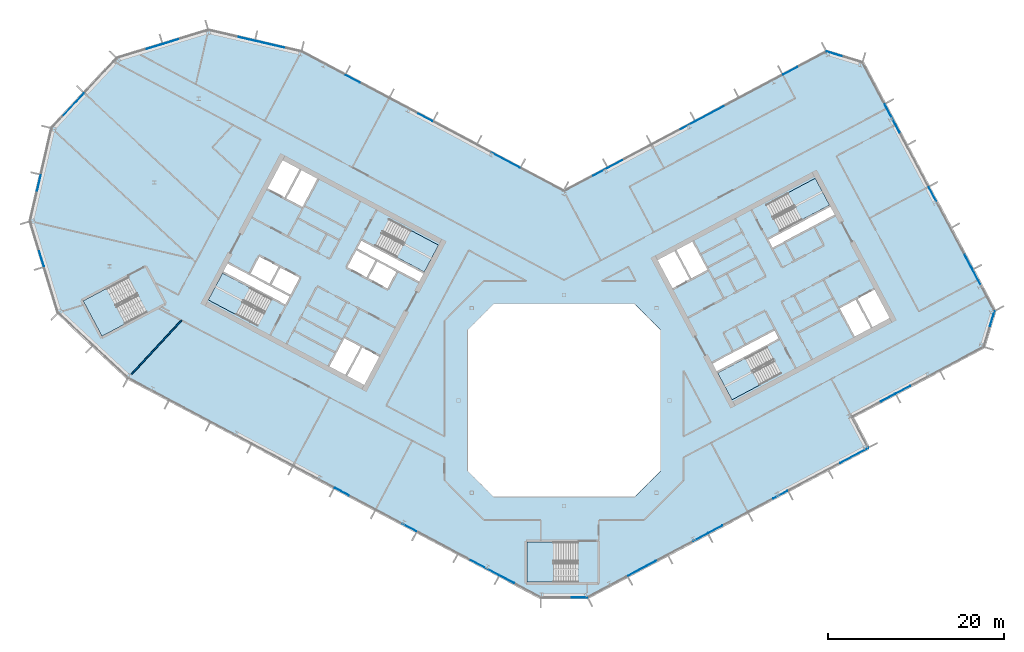
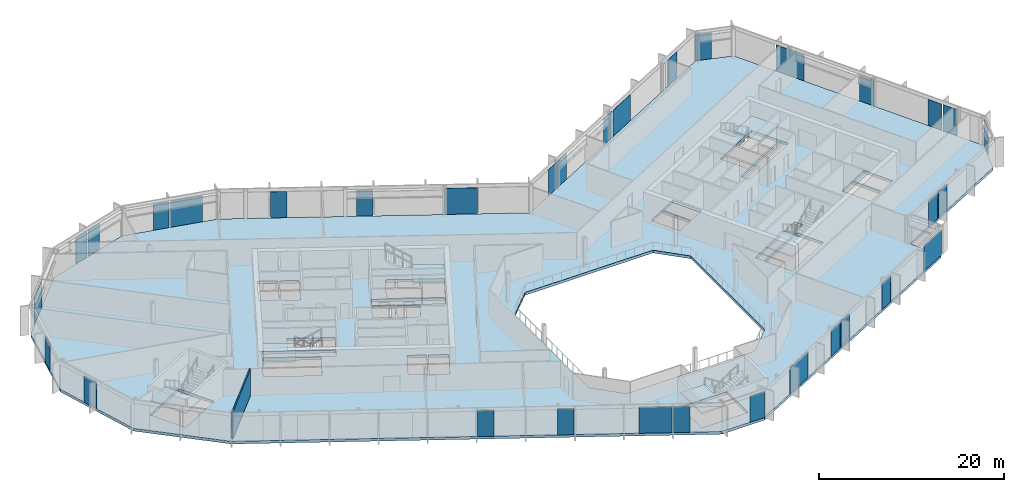
# One storey, part 11 of 26: 33 plates, 7 slabs, 1 wall, 20 elements without a shape of their own.
"""IFC4 building model written with IfcOpenShell, lengths in metres."""

from ifc_helpers import new_model, si_unit, direction, frame, frame_2d, origin, origin_2d, place, context, subcontext, project, spatial, polyline, rectangle, outline, extrude, material, layer, layer_set, type_object, element, aggregate, save


model = new_model("IFC4")

# Units and contexts
model_context = context("Model", 3, precision=1e-05, world=origin(), true_north=direction((0.0, 1.0)))
body_context = subcontext(model_context, "Body", "Model", "MODEL_VIEW")
ifc_project = project(units=[si_unit("LENGTHUNIT", "METRE"), si_unit("AREAUNIT", "SQUARE_METRE"), si_unit("VOLUMEUNIT", "CUBIC_METRE"), si_unit("PLANEANGLEUNIT", "RADIAN"), si_unit("MASSUNIT", "GRAM", prefix="KILO")], contexts=[model_context])

# Site, building, storey
site_placement = place(None, origin())
site = spatial("IfcSite", under=ifc_project, at=site_placement, CompositionType="ELEMENT")
building_placement = place(site_placement, origin())
building = spatial("IfcBuilding", under=site, at=building_placement, Name="Cormorant Relay Tower", CompositionType="ELEMENT")
storey_placement = place(building_placement, frame((0.0, 0.0, 213.0)))
storey = spatial("IfcBuildingStorey", under=building, at=storey_placement, Name="L46", CompositionType="ELEMENT", Elevation=213.0)

# Curtain wall, plate
ifc_material_1 = material(Name="Aluminium 6063-T6 anodised bronze", Category="aluminium")
ifc_layer_1 = layer(ifc_material_1, 0.199951171875)
ifc_layer_set_1 = layer_set([ifc_layer_1], Name="CW1 unitised bronze curtain wall with vertical fins")
curtain_wall_type = type_object("IfcCurtainWallType", Name="CW1 unitised bronze curtain wall with vertical fins", PredefinedType="NOTDEFINED", material=ifc_layer_set_1)
curtain_wall_1_placement = place(storey_placement, origin())
curtain_wall_1 = element("IfcCurtainWall", 1, at=curtain_wall_1_placement, inside=storey, type_object=curtain_wall_type, Name="CW1 curtain wall 1", PredefinedType="NOTDEFINED")
ifc_material_2 = material(Name="Tinted laminated glass", Category="glass")
ifc_layer_2 = layer(ifc_material_2, 0.0400390625)
ifc_layer_set_2 = layer_set([ifc_layer_2], Name="CW1 tinted vision panel 1800 module")
plate_type_1 = type_object("IfcPlateType", Name="CW1 tinted vision panel 1800 module", PredefinedType="CURTAIN_PANEL", material=ifc_layer_set_2)
plate_1_placement = place(storey_placement, frame((1.748779296875, -22.3955078125, 0.0), z_axis=(0.0, 0.0, 1.0), x_axis=(1.0, 0.0, 0.0)))
plate_1 = element("IfcPlate", 2, at=plate_1_placement, type_object=plate_type_1, Name="CW1 panel V01", PredefinedType="CURTAIN_PANEL", context=body_context, shape_type="SweptSolid", body=[
    extrude(rectangle(XDim=1.800048828125, YDim=0.0400390625, at=origin_2d()), origin(), (0.0, 0.0, 1.0), 3.449951171875),
])
aggregate(curtain_wall_1, [plate_1])

# Curtain wall, plates
curtain_wall_2_placement = place(storey_placement, origin())
curtain_wall_2 = element("IfcCurtainWall", 3, at=curtain_wall_2_placement, inside=storey, type_object=curtain_wall_type, Name="CW1 curtain wall 2", PredefinedType="NOTDEFINED")
plate_2_placement = place(storey_placement, frame((15.48291015625, -15.57421875, 0.0), z_axis=(0.0, 0.0, 1.0), x_axis=(0.882947592859, 0.469471562786, 0.0)))
plate_2 = element("IfcPlate", 4, at=plate_2_placement, type_object=plate_type_1, Name="CW1 panel V03", PredefinedType="CURTAIN_PANEL", context=body_context, shape_type="SweptSolid", body=[
    extrude(rectangle(XDim=1.800048828125, YDim=0.0400390625, at=origin_2d()), origin(), (0.0, 0.0, 1.0), 3.449951171875),
])
plate_3_placement = place(storey_placement, frame((17.20458984375, -14.65869140625, 0.0), z_axis=(0.0, 0.0, 1.0), x_axis=(0.882947592859, 0.469471562786, 0.0)))
plate_3 = element("IfcPlate", 5, at=plate_3_placement, type_object=plate_type_1, Name="CW1 panel V04", PredefinedType="CURTAIN_PANEL", context=body_context, shape_type="SweptSolid", body=[
    extrude(rectangle(XDim=1.800048828125, YDim=0.0400390625, at=origin_2d()), origin(), (0.0, 0.0, 1.0), 3.449951171875),
])
plate_4_placement = place(storey_placement, frame((24.6064453125, -10.72314453125, 0.0), z_axis=(0.0, 0.0, 1.0), x_axis=(0.882947592859, 0.469471562786, 0.0)))
plate_4 = element("IfcPlate", 6, at=plate_4_placement, type_object=plate_type_1, Name="CW1 panel V06", PredefinedType="CURTAIN_PANEL", context=body_context, shape_type="SweptSolid", body=[
    extrude(rectangle(XDim=1.800048828125, YDim=0.0400390625, at=origin_2d()), origin(), (0.0, 0.0, 1.0), 3.449951171875),
])

curtain_wall_3_placement = place(storey_placement, origin())
curtain_wall_3 = element("IfcCurtainWall", 7, at=curtain_wall_3_placement, inside=storey, type_object=curtain_wall_type, Name="CW1 curtain wall 4", PredefinedType="NOTDEFINED")
plate_5_placement = place(storey_placement, frame((36.85546875, 0.320068359375, 0.0), z_axis=(0.0, 0.0, 1.0), x_axis=(0.882947592859, 0.469471562786, 0.0)))
plate_5 = element("IfcPlate", 8, at=plate_5_placement, type_object=plate_type_1, Name="CW1 panel V01", PredefinedType="CURTAIN_PANEL", context=body_context, shape_type="SweptSolid", body=[
    extrude(rectangle(XDim=1.800048828125, YDim=0.0400390625, at=origin_2d()), origin(), (0.0, 0.0, 1.0), 3.449951171875),
])
plate_6_placement = place(storey_placement, frame((38.5771484375, 1.235595703125, 0.0), z_axis=(0.0, 0.0, 1.0), x_axis=(0.882947592859, 0.469471562786, 0.0)))
plate_6 = element("IfcPlate", 9, at=plate_6_placement, type_object=plate_type_1, Name="CW1 panel V02", PredefinedType="CURTAIN_PANEL", context=body_context, shape_type="SweptSolid", body=[
    extrude(rectangle(XDim=1.800048828125, YDim=0.0400390625, at=origin_2d()), origin(), (0.0, 0.0, 1.0), 3.449951171875),
])
aggregate(curtain_wall_3, [plate_5, plate_6])

# Curtain wall, plate
curtain_wall_4_placement = place(storey_placement, origin())
curtain_wall_4 = element("IfcCurtainWall", 10, at=curtain_wall_4_placement, inside=storey, type_object=curtain_wall_type, Name="CW1 curtain wall 5", PredefinedType="NOTDEFINED")
plate_7_placement = place(storey_placement, frame((48.710205078125, 9.306884765625, 0.0), z_axis=(0.0, 0.0, 1.0), x_axis=(0.292371704723, 0.956304755963, 0.0)))
plate_7 = element("IfcPlate", 11, at=plate_7_placement, type_object=plate_type_1, Name="CW1 panel V01", PredefinedType="CURTAIN_PANEL", context=body_context, shape_type="SweptSolid", body=[
    extrude(rectangle(XDim=1.800048828125, YDim=0.0400390625, at=origin_2d()), origin(), (0.0, 0.0, 1.0), 3.449951171875),
])
aggregate(curtain_wall_4, [plate_7])

# Curtain wall, plates
curtain_wall_5_placement = place(storey_placement, origin())
curtain_wall_5 = element("IfcCurtainWall", 12, at=curtain_wall_5_placement, inside=storey, type_object=curtain_wall_type, Name="CW1 curtain wall 6", PredefinedType="NOTDEFINED")
plate_8_placement = place(storey_placement, frame((46.925537109375, 14.031005859375, 0.0), z_axis=(0.0, 0.0, 1.0), x_axis=(-0.469471562786, 0.882947592859, 0.0)))
plate_8 = element("IfcPlate", 13, at=plate_8_placement, type_object=plate_type_1, Name="CW1 panel V01", PredefinedType="CURTAIN_PANEL", context=body_context, shape_type="SweptSolid", body=[
    extrude(rectangle(XDim=1.800048828125, YDim=0.0400390625, at=origin_2d()), origin(), (0.0, 0.0, 1.0), 3.449951171875),
])
plate_9_placement = place(storey_placement, frame((46.01025390625, 15.752685546875, 0.0), z_axis=(0.0, 0.0, 1.0), x_axis=(-0.469471562786, 0.882947592859, 0.0)))
plate_9 = element("IfcPlate", 14, at=plate_9_placement, type_object=plate_type_1, Name="CW1 panel V02", PredefinedType="CURTAIN_PANEL", context=body_context, shape_type="SweptSolid", body=[
    extrude(rectangle(XDim=1.800048828125, YDim=0.0400390625, at=origin_2d()), origin(), (0.0, 0.0, 1.0), 3.449951171875),
])
plate_10_placement = place(storey_placement, frame((41.91796875, 23.448974609375, 0.0), z_axis=(0.0, 0.0, 1.0), x_axis=(-0.469471562786, 0.882947592859, 0.0)))
plate_10 = element("IfcPlate", 15, at=plate_10_placement, type_object=plate_type_1, Name="CW1 panel V04", PredefinedType="CURTAIN_PANEL", context=body_context, shape_type="SweptSolid", body=[
    extrude(rectangle(XDim=1.800048828125, YDim=0.0400390625, at=origin_2d()), origin(), (0.0, 0.0, 1.0), 3.449951171875),
])

# Curtain wall, plate
curtain_wall_6_placement = place(storey_placement, origin())
curtain_wall_6 = element("IfcCurtainWall", 16, at=curtain_wall_6_placement, inside=storey, type_object=curtain_wall_type, Name="CW1 curtain wall 7", PredefinedType="NOTDEFINED")
plate_11_placement = place(storey_placement, frame((30.740234375, 39.424072265625, 0.0), z_axis=(0.0, 0.0, 1.0), x_axis=(-0.956304755963, 0.292371704723, 0.0)))
plate_11 = element("IfcPlate", 17, at=plate_11_placement, type_object=plate_type_1, Name="CW1 panel V01", PredefinedType="CURTAIN_PANEL", context=body_context, shape_type="SweptSolid", body=[
    extrude(rectangle(XDim=1.800048828125, YDim=0.0400390625, at=origin_2d()), origin(), (0.0, 0.0, 1.0), 3.449951171875),
])
aggregate(curtain_wall_6, [plate_11])

# Curtain wall, plates
curtain_wall_7_placement = place(storey_placement, origin())
curtain_wall_7 = element("IfcCurtainWall", 18, at=curtain_wall_7_placement, inside=storey, type_object=curtain_wall_type, Name="CW1 curtain wall 8", PredefinedType="NOTDEFINED")
plate_12_placement = place(storey_placement, frame((25.746337890625, 37.49609375, 0.0), z_axis=(0.0, 0.0, 1.0), x_axis=(-0.882947592859, -0.469471562786, 0.0)))
plate_12 = element("IfcPlate", 19, at=plate_12_placement, type_object=plate_type_1, Name="CW1 panel V01", PredefinedType="CURTAIN_PANEL", context=body_context, shape_type="SweptSolid", body=[
    extrude(rectangle(XDim=1.800048828125, YDim=0.0400390625, at=origin_2d()), origin(), (0.0, 0.0, 1.0), 3.449951171875),
])
plate_13_placement = place(storey_placement, frame((14.066650390625, 31.285888671875, 0.0), z_axis=(0.0, 0.0, 1.0), x_axis=(-0.882947592859, -0.469471562786, 0.0)))
plate_13 = element("IfcPlate", 20, at=plate_13_placement, type_object=plate_type_1, Name="CW1 panel V04", PredefinedType="CURTAIN_PANEL", context=body_context, shape_type="SweptSolid", body=[
    extrude(rectangle(XDim=1.800048828125, YDim=0.0400390625, at=origin_2d()), origin(), (0.0, 0.0, 1.0), 3.449951171875),
])
plate_14_placement = place(storey_placement, frame((5.830322265625, 26.90673828125, 0.0), z_axis=(0.0, 0.0, 1.0), x_axis=(-0.882947592859, -0.469471562786, 0.0)))
plate_14 = element("IfcPlate", 21, at=plate_14_placement, type_object=plate_type_1, Name="CW1 panel V06", PredefinedType="CURTAIN_PANEL", context=body_context, shape_type="SweptSolid", body=[
    extrude(rectangle(XDim=1.800048828125, YDim=0.0400390625, at=origin_2d()), origin(), (0.0, 0.0, 1.0), 3.449951171875),
])
plate_15_placement = place(storey_placement, frame((4.108642578125, 25.9912109375, 0.0), z_axis=(0.0, 0.0, 1.0), x_axis=(-0.882947592859, -0.469471562786, 0.0)))
plate_15 = element("IfcPlate", 22, at=plate_15_placement, type_object=plate_type_1, Name="CW1 panel V07", PredefinedType="CURTAIN_PANEL", context=body_context, shape_type="SweptSolid", body=[
    extrude(rectangle(XDim=1.800048828125, YDim=0.0400390625, at=origin_2d()), origin(), (0.0, 0.0, 1.0), 3.449951171875),
])

curtain_wall_8_placement = place(storey_placement, origin())
curtain_wall_8 = element("IfcCurtainWall", 23, at=curtain_wall_8_placement, inside=storey, type_object=curtain_wall_type, Name="CW1 curtain wall 9", PredefinedType="NOTDEFINED")
plate_16_placement = place(storey_placement, frame((-15.788330078125, 32.201416015625, 0.0), z_axis=(0.0, 0.0, 1.0), x_axis=(-0.882947592859, 0.469471562786, 0.0)))
plate_16 = element("IfcPlate", 24, at=plate_16_placement, type_object=plate_type_1, Name="CW1 panel V03", PredefinedType="CURTAIN_PANEL", context=body_context, shape_type="SweptSolid", body=[
    extrude(rectangle(XDim=1.800048828125, YDim=0.0400390625, at=origin_2d()), origin(), (0.0, 0.0, 1.0), 3.449951171875),
])
plate_17_placement = place(storey_placement, frame((-24.0244140625, 36.580810546875, 0.0), z_axis=(0.0, 0.0, 1.0), x_axis=(-0.882947592859, 0.469471562786, 0.0)))
plate_17 = element("IfcPlate", 25, at=plate_17_placement, type_object=plate_type_1, Name="CW1 panel V05", PredefinedType="CURTAIN_PANEL", context=body_context, shape_type="SweptSolid", body=[
    extrude(rectangle(XDim=1.800048828125, YDim=0.0400390625, at=origin_2d()), origin(), (0.0, 0.0, 1.0), 3.449951171875),
])

# Curtain wall, plate
curtain_wall_9_placement = place(storey_placement, origin())
curtain_wall_9 = element("IfcCurtainWall", 26, at=curtain_wall_9_placement, inside=storey, type_object=curtain_wall_type, Name="CW1 curtain wall 10", PredefinedType="NOTDEFINED")
plate_18_placement = place(storey_placement, frame((-36.114990234375, 41.129638671875, 0.0), z_axis=(0.0, 0.0, 1.0), x_axis=(-0.974370064785, 0.224951054344, 0.0)))
plate_18 = element("IfcPlate", 27, at=plate_18_placement, type_object=plate_type_1, Name="CW1 panel V02", PredefinedType="CURTAIN_PANEL", context=body_context, shape_type="SweptSolid", body=[
    extrude(rectangle(XDim=1.800048828125, YDim=0.0400390625, at=origin_2d()), origin(), (0.0, 0.0, 1.0), 3.449951171875),
])

# Curtain wall, plates
curtain_wall_10_placement = place(storey_placement, origin())
curtain_wall_10 = element("IfcCurtainWall", 28, at=curtain_wall_10_placement, inside=storey, type_object=curtain_wall_type, Name="CW1 curtain wall 11", PredefinedType="NOTDEFINED")
plate_19_placement = place(storey_placement, frame((-44.73681640625, 40.82861328125, 0.0), z_axis=(0.0, 0.0, 1.0), x_axis=(-0.956304755963, -0.292371704723, 0.0)))
plate_19 = element("IfcPlate", 29, at=plate_19_placement, type_object=plate_type_1, Name="CW1 panel V01", PredefinedType="CURTAIN_PANEL", context=body_context, shape_type="SweptSolid", body=[
    extrude(rectangle(XDim=1.800048828125, YDim=0.0400390625, at=origin_2d()), origin(), (0.0, 0.0, 1.0), 3.449951171875),
])
plate_20_placement = place(storey_placement, frame((-46.6015625, 40.25830078125, 0.0), z_axis=(0.0, 0.0, 1.0), x_axis=(-0.956304755963, -0.292371704723, 0.0)))
plate_20 = element("IfcPlate", 30, at=plate_20_placement, type_object=plate_type_1, Name="CW1 panel V02", PredefinedType="CURTAIN_PANEL", context=body_context, shape_type="SweptSolid", body=[
    extrude(rectangle(XDim=1.800048828125, YDim=0.0400390625, at=origin_2d()), origin(), (0.0, 0.0, 1.0), 3.449951171875),
])
aggregate(curtain_wall_10, [plate_19, plate_20])

# Curtain wall, plate
curtain_wall_11_placement = place(storey_placement, origin())
curtain_wall_11 = element("IfcCurtainWall", 31, at=curtain_wall_11_placement, inside=storey, type_object=curtain_wall_type, Name="CW1 curtain wall 13", PredefinedType="NOTDEFINED")
plate_21_placement = place(storey_placement, frame((-59.736083984375, 24.74365234375, 0.0), z_axis=(0.0, 0.0, 1.0), x_axis=(-0.224951054344, -0.974370064785, 0.0)))
plate_21 = element("IfcPlate", 32, at=plate_21_placement, type_object=plate_type_1, Name="CW1 panel V01", PredefinedType="CURTAIN_PANEL", context=body_context, shape_type="SweptSolid", body=[
    extrude(rectangle(XDim=1.800048828125, YDim=0.0400390625, at=origin_2d()), origin(), (0.0, 0.0, 1.0), 3.449951171875),
])
aggregate(curtain_wall_11, [plate_21])

curtain_wall_12_placement = place(storey_placement, origin())
curtain_wall_12 = element("IfcCurtainWall", 33, at=curtain_wall_12_placement, inside=storey, type_object=curtain_wall_type, Name="CW1 curtain wall 14", PredefinedType="NOTDEFINED")
plate_22_placement = place(storey_placement, frame((-59.434814453125, 16.122314453125, 0.0), z_axis=(0.0, 0.0, 1.0), x_axis=(0.292371704723, -0.956304755963, 0.0)))
plate_22 = element("IfcPlate", 34, at=plate_22_placement, type_object=plate_type_1, Name="CW1 panel V01", PredefinedType="CURTAIN_PANEL", context=body_context, shape_type="SweptSolid", body=[
    extrude(rectangle(XDim=1.800048828125, YDim=0.0400390625, at=origin_2d()), origin(), (0.0, 0.0, 1.0), 3.449951171875),
])
aggregate(curtain_wall_12, [plate_22])

# Curtain wall, plates
curtain_wall_13_placement = place(storey_placement, origin())
curtain_wall_13 = element("IfcCurtainWall", 35, at=curtain_wall_13_placement, inside=storey, type_object=curtain_wall_type, Name="CW1 curtain wall 16", PredefinedType="NOTDEFINED")
plate_23_placement = place(storey_placement, frame((-25.268798828125, -10.37109375, 0.0), z_axis=(0.0, 0.0, 1.0), x_axis=(0.882947592859, -0.469471562786, 0.0)))
plate_23 = element("IfcPlate", 36, at=plate_23_placement, type_object=plate_type_1, Name="CW1 panel V06", PredefinedType="CURTAIN_PANEL", context=body_context, shape_type="SweptSolid", body=[
    extrude(rectangle(XDim=1.800048828125, YDim=0.0400390625, at=origin_2d()), origin(), (0.0, 0.0, 1.0), 3.449951171875),
])
plate_24_placement = place(storey_placement, frame((-17.601806640625, -14.447509765625, 0.0), z_axis=(0.0, 0.0, 1.0), x_axis=(0.882947592859, -0.469471562786, 0.0)))
plate_24 = element("IfcPlate", 37, at=plate_24_placement, type_object=plate_type_1, Name="CW1 panel V08", PredefinedType="CURTAIN_PANEL", context=body_context, shape_type="SweptSolid", body=[
    extrude(rectangle(XDim=1.800048828125, YDim=0.0400390625, at=origin_2d()), origin(), (0.0, 0.0, 1.0), 3.449951171875),
])
plate_25_placement = place(storey_placement, frame((-6.49169921875, -20.35498046875, 0.0), z_axis=(0.0, 0.0, 1.0), x_axis=(0.882947592859, -0.469471562786, 0.0)))
plate_25 = element("IfcPlate", 38, at=plate_25_placement, type_object=plate_type_1, Name="CW1 panel V11", PredefinedType="CURTAIN_PANEL", context=body_context, shape_type="SweptSolid", body=[
    extrude(rectangle(XDim=1.800048828125, YDim=0.0400390625, at=origin_2d()), origin(), (0.0, 0.0, 1.0), 3.449951171875),
])

# Plate
ifc_material_3 = material(Name="Tinted laminated glass", Category="glass")
ifc_layer_3 = layer(ifc_material_3, 0.0400390625)
ifc_layer_set_3 = layer_set([ifc_layer_3], Name="CW1 tinted vision panel 3600 module")
plate_type_2 = type_object("IfcPlateType", Name="CW1 tinted vision panel 3600 module", PredefinedType="CURTAIN_PANEL", material=ifc_layer_set_3)
plate_26_placement = place(storey_placement, frame((8.87548828125, -19.08740234375, 0.0), z_axis=(0.0, 0.0, 1.0), x_axis=(0.882947592859, 0.469471562786, 0.0)))
plate_26 = element("IfcPlate", 39, at=plate_26_placement, type_object=plate_type_2, Name="CW1 panel V01", PredefinedType="CURTAIN_PANEL", context=body_context, shape_type="SweptSolid", body=[
    extrude(rectangle(XDim=3.60009765625, YDim=0.0400390625, at=origin_2d()), origin(), (0.0, 0.0, 1.0), 3.449951171875),
])

plate_27_placement = place(storey_placement, frame((33.00146484375, -6.259521484375, 0.0), z_axis=(0.0, 0.0, 1.0), x_axis=(0.882947592859, 0.469471562786, 0.0)))
plate_27 = element("IfcPlate", 40, at=plate_27_placement, type_object=plate_type_2, Name="CW1 panel V08", PredefinedType="CURTAIN_PANEL", context=body_context, shape_type="SweptSolid", body=[
    extrude(rectangle(XDim=3.60009765625, YDim=0.0400390625, at=origin_2d()), origin(), (0.0, 0.0, 1.0), 3.449951171875),
])

aggregate(curtain_wall_2, [plate_26, plate_2, plate_3, plate_4, plate_27])

plate_28_placement = place(storey_placement, frame((37.332763671875, 32.072509765625, 0.0), z_axis=(0.0, 0.0, 1.0), x_axis=(-0.469471562786, 0.882947592859, 0.0)))
plate_28 = element("IfcPlate", 41, at=plate_28_placement, type_object=plate_type_2, Name="CW1 panel V06", PredefinedType="CURTAIN_PANEL", context=body_context, shape_type="SweptSolid", body=[
    extrude(rectangle(XDim=3.60009765625, YDim=0.0400390625, at=origin_2d()), origin(), (0.0, 0.0, 1.0), 3.449951171875),
])

aggregate(curtain_wall_5, [plate_8, plate_9, plate_10, plate_28])

plate_29_placement = place(storey_placement, frame((16.5830078125, 32.6240234375, 0.0), z_axis=(0.0, 0.0, 1.0), x_axis=(-0.882947592859, -0.469471562786, 0.0)))
plate_29 = element("IfcPlate", 42, at=plate_29_placement, type_object=plate_type_2, Name="CW1 panel V03", PredefinedType="CURTAIN_PANEL", context=body_context, shape_type="SweptSolid", body=[
    extrude(rectangle(XDim=3.60009765625, YDim=0.0400390625, at=origin_2d()), origin(), (0.0, 0.0, 1.0), 3.449951171875),
])

aggregate(curtain_wall_7, [plate_12, plate_29, plate_13, plate_14, plate_15])

plate_30_placement = place(storey_placement, frame((-6.625, 27.3291015625, 0.0), z_axis=(0.0, 0.0, 1.0), x_axis=(-0.882947592859, 0.469471562786, 0.0)))
plate_30 = element("IfcPlate", 43, at=plate_30_placement, type_object=plate_type_2, Name="CW1 panel V01", PredefinedType="CURTAIN_PANEL", context=body_context, shape_type="SweptSolid", body=[
    extrude(rectangle(XDim=3.60009765625, YDim=0.0400390625, at=origin_2d()), origin(), (0.0, 0.0, 1.0), 3.449951171875),
])

aggregate(curtain_wall_8, [plate_30, plate_16, plate_17])

plate_31_placement = place(storey_placement, frame((-33.338134765625, 40.488525390625, 0.0), z_axis=(0.0, 0.0, 1.0), x_axis=(-0.974370064785, 0.224951054344, 0.0)))
plate_31 = element("IfcPlate", 44, at=plate_31_placement, type_object=plate_type_2, Name="CW1 panel V01", PredefinedType="CURTAIN_PANEL", context=body_context, shape_type="SweptSolid", body=[
    extrude(rectangle(XDim=3.60009765625, YDim=0.0400390625, at=origin_2d()), origin(), (0.0, 0.0, 1.0), 3.449951171875),
])

aggregate(curtain_wall_9, [plate_31, plate_18])

# Curtain wall, plate
curtain_wall_14_placement = place(storey_placement, origin())
curtain_wall_14 = element("IfcCurtainWall", 45, at=curtain_wall_14_placement, inside=storey, type_object=curtain_wall_type, Name="CW1 curtain wall 12", PredefinedType="NOTDEFINED")
plate_32_placement = place(storey_placement, frame((-55.861083984375, 33.6025390625, 0.0), z_axis=(0.0, 0.0, 1.0), x_axis=(-0.681998360062, -0.731353701619, 0.0)))
plate_32 = element("IfcPlate", 46, at=plate_32_placement, type_object=plate_type_2, Name="CW1 panel V01", PredefinedType="CURTAIN_PANEL", context=body_context, shape_type="SweptSolid", body=[
    extrude(rectangle(XDim=3.60009765625, YDim=0.0400390625, at=origin_2d()), origin(), (0.0, 0.0, 1.0), 3.449951171875),
])
aggregate(curtain_wall_14, [plate_32])

# Plate
plate_33_placement = place(storey_placement, frame((-9.008056640625, -19.01708984375, 0.0), z_axis=(0.0, 0.0, 1.0), x_axis=(0.882947592859, -0.469471562786, 0.0)))
plate_33 = element("IfcPlate", 47, at=plate_33_placement, type_object=plate_type_2, Name="CW1 panel V10", PredefinedType="CURTAIN_PANEL", context=body_context, shape_type="SweptSolid", body=[
    extrude(rectangle(XDim=3.60009765625, YDim=0.0400390625, at=origin_2d()), origin(), (0.0, 0.0, 1.0), 3.449951171875),
])

aggregate(curtain_wall_13, [plate_23, plate_24, plate_33, plate_25])

# Stair, slab
ifc_material_4 = material(Name="Concrete 40 MPa", Category="concrete")
stair_type_1 = type_object("IfcStairType", Name="Exit stair 1500", PredefinedType="HALF_TURN_STAIR", material=ifc_material_4)
stair_1_placement = place(storey_placement, origin())
stair_1 = element("IfcStair", 48, at=stair_1_placement, inside=storey, type_object=stair_type_1, Name="L46 Stair", PredefinedType="HALF_TURN_STAIR")
ifc_material_5 = material(Name="Concrete 40 MPa", Category="concrete")
ifc_layer_4 = layer(ifc_material_5, 0.199951171875)
ifc_layer_set_4 = layer_set([ifc_layer_4], Name="Exit stair landing 200")
slab_type_1 = type_object("IfcSlabType", Name="Exit stair landing 200", PredefinedType="LANDING", material=ifc_layer_set_4)
slab_1_placement = place(storey_placement, frame((0.0, 0.0, 1.75)))
slab_1 = element("IfcSlab", 49, at=slab_1_placement, type_object=slab_type_1, Name="A1 landing 1", PredefinedType="LANDING", context=body_context, shape_type="SweptSolid", body=[
    extrude(outline(polyline([(-19.029541015625, 16.29052734375), (-15.89501953125, 14.6240234375), (-14.275390625, 17.670166015625), (-17.40966796875, 19.3369140625), (-19.029541015625, 16.29052734375)])), origin(), (0.0, 0.0, 1.0), 0.199951171875),
])
aggregate(stair_1, [slab_1])

stair_2_placement = place(storey_placement, origin())
stair_2 = element("IfcStair", 50, at=stair_2_placement, inside=storey, type_object=stair_type_1, Name="L46 Stair", PredefinedType="HALF_TURN_STAIR")
slab_2_placement = place(storey_placement, frame((0.0, 0.0, 1.75)))
slab_2 = element("IfcSlab", 51, at=slab_2_placement, type_object=slab_type_1, Name="A2 landing 1", PredefinedType="LANDING", context=body_context, shape_type="SweptSolid", body=[
    extrude(outline(polyline([(-35.71337890625, 12.816650390625), (-38.84765625, 14.483154296875), (-40.467529296875, 11.43701171875), (-37.3330078125, 9.7705078125), (-35.71337890625, 12.816650390625)])), origin(), (0.0, 0.0, 1.0), 0.199951171875),
])
aggregate(stair_2, [slab_2])

stair_3_placement = place(storey_placement, origin())
stair_3 = element("IfcStair", 52, at=stair_3_placement, inside=storey, type_object=stair_type_1, Name="L46 Stair", PredefinedType="HALF_TURN_STAIR")
slab_3_placement = place(storey_placement, frame((0.0, 0.0, 1.75)))
slab_3 = element("IfcSlab", 53, at=slab_3_placement, type_object=slab_type_1, Name="B1 landing 1", PredefinedType="LANDING", context=body_context, shape_type="SweptSolid", body=[
    extrude(outline(polyline([(20.614990234375, 4.78857421875), (17.48046875, 3.1220703125), (19.10009765625, 0.075927734375), (22.234619140625, 1.742431640625), (20.614990234375, 4.78857421875)])), origin(), (0.0, 0.0, 1.0), 0.199951171875),
])
aggregate(stair_3, [slab_3])

stair_4_placement = place(storey_placement, origin())
stair_4 = element("IfcStair", 54, at=stair_4_placement, inside=storey, type_object=stair_type_1, Name="L46 Stair", PredefinedType="HALF_TURN_STAIR")
slab_4_placement = place(storey_placement, frame((0.0, 0.0, 1.75)))
slab_4 = element("IfcSlab", 55, at=slab_4_placement, type_object=slab_type_1, Name="B2 landing 1", PredefinedType="LANDING", context=body_context, shape_type="SweptSolid", body=[
    extrude(outline(polyline([(27.064208984375, 20.562744140625), (30.19873046875, 22.2294921875), (28.5791015625, 25.275634765625), (25.444580078125, 23.60888671875), (27.064208984375, 20.562744140625)])), origin(), (0.0, 0.0, 1.0), 0.199951171875),
])
aggregate(stair_4, [slab_4])

ifc_material_6 = material(Name="Concrete 40 MPa", Category="concrete")
stair_type_2 = type_object("IfcStairType", Name="Remote exit stair 2200", PredefinedType="HALF_TURN_STAIR", material=ifc_material_6)
stair_5_placement = place(storey_placement, origin())
stair_5 = element("IfcStair", 56, at=stair_5_placement, inside=storey, type_object=stair_type_2, Name="L46 Stair", PredefinedType="HALF_TURN_STAIR")
slab_5_placement = place(storey_placement, frame((0.0, 0.0, 1.75)))
slab_5 = element("IfcSlab", 57, at=slab_5_placement, type_object=slab_type_1, Name="RK1 landing 1", PredefinedType="LANDING", context=body_context, shape_type="SweptSolid", body=[
    extrude(outline(polyline([(-1.199951171875, -16.125), (-4.199951171875, -16.125), (-4.199951171875, -20.675048828125), (-1.199951171875, -20.675048828125), (-1.199951171875, -16.125)])), origin(), (0.0, 0.0, 1.0), 0.199951171875),
])
aggregate(stair_5, [slab_5])

stair_6_placement = place(storey_placement, origin())
stair_6 = element("IfcStair", 58, at=stair_6_placement, inside=storey, type_object=stair_type_2, Name="L46 Stair", PredefinedType="HALF_TURN_STAIR")
slab_6_placement = place(storey_placement, frame((0.0, 0.0, 1.75)))
slab_6 = element("IfcSlab", 59, at=slab_6_placement, type_object=slab_type_1, Name="RP1 landing 1", PredefinedType="LANDING", context=body_context, shape_type="SweptSolid", body=[
    extrude(outline(polyline([(-52.051025390625, 12.7392578125), (-54.699951171875, 11.330810546875), (-52.563720703125, 7.3134765625), (-49.914794921875, 8.721923828125), (-52.051025390625, 12.7392578125)])), origin(), (0.0, 0.0, 1.0), 0.199951171875),
])
aggregate(stair_6, [slab_6])

# Slab
ifc_material_7 = material(Name="Concrete 40 MPa", Category="concrete")
ifc_layer_5 = layer(ifc_material_7, 0.360107421875)
ifc_layer_set_5 = layer_set([ifc_layer_5], Name="Flat plate 360")
slab_type_2 = type_object("IfcSlabType", Name="Flat plate 360", PredefinedType="FLOOR", material=ifc_layer_set_5)
slab_7_placement = place(storey_placement, frame((0.0, 0.0, -0.360107421875)))
element("IfcSlab", 60, at=slab_7_placement, inside=storey, type_object=slab_type_2, Name="Floor slab L46", PredefinedType="FLOOR", context=body_context, shape_type="SweptSolid", body=[
    extrude(outline(polyline([(-60.7197265625, 20.393310546875), (-58.2744140625, 30.985107421875), (-50.86083984375, 38.935302734375), (-40.465576171875, 42.11328125), (-29.873779296875, 39.668212890625), (0.0, 23.783935546875), (29.873779296875, 39.668212890625), (33.930908203125, 38.427734375), (48.9541015625, 10.17333984375), (47.713623046875, 6.1162109375), (32.70361328125, -1.864990234375), (34.581298828125, -5.396728515625), (2.648681640625, -22.37548828125), (-2.648681640625, -22.37548828125), (-49.591552734375, 2.584228515625), (-57.541748046875, 9.997802734375), (-60.7197265625, 20.393310546875)]), holes=[polyline([(11.0, -8.0), (11.0, 8.0), (8.0, 11.0), (-8.0, 11.0), (-11.0, 8.0), (-11.0, -8.0), (-8.0, -11.0), (8.0, -11.0), (11.0, -8.0)]), polyline([(-22.95458984375, 6.03271484375), (-24.668212890625, 2.81005859375), (-22.725830078125, 1.777099609375), (-21.01220703125, 5.0), (-23.04296875, 6.07958984375), (-22.95458984375, 6.03271484375)]), polyline([(-24.985595703125, 7.112548828125), (-26.69921875, 3.889892578125), (-24.844970703125, 2.90380859375), (-23.13134765625, 6.126708984375), (-23.04296875, 6.07958984375), (-24.985595703125, 7.112548828125)]), polyline([(-54.69970703125, 11.330810546875), (-52.563720703125, 7.3134765625), (-47.442626953125, 10.036376953125), (-49.57861328125, 14.0537109375), (-54.69970703125, 11.330810546875)]), polyline([(-33.240966796875, 11.502197265625), (-38.847900390625, 14.483154296875), (-40.46728515625, 11.43701171875), (-34.860595703125, 8.455810546875), (-33.240966796875, 11.502197265625)]), polyline([(-38.260986328125, 15.5869140625), (-38.75390625, 14.659912109375), (-31.690185546875, 10.904052734375), (-31.197265625, 11.8310546875), (-38.260986328125, 15.5869140625)]), polyline([(-31.103515625, 12.0078125), (-30.070556640625, 13.9501953125), (-32.278076171875, 15.123779296875), (-33.310791015625, 13.181396484375), (-31.103515625, 12.0078125)]), polyline([(-22.2880859375, 13.889404296875), (-20.080810546875, 12.7158203125), (-19.048095703125, 14.658203125), (-21.25537109375, 15.831787109375), (-22.2880859375, 13.889404296875)]), polyline([(-34.661865234375, 16.3916015625), (-35.69482421875, 14.448974609375), (-33.4873046875, 13.275390625), (-32.45458984375, 15.2177734375), (-34.661865234375, 16.3916015625)]), polyline([(-22.46484375, 13.9833984375), (-21.431884765625, 15.92578125), (-23.639404296875, 17.099609375), (-24.672119140625, 15.156982421875), (-22.46484375, 13.9833984375)]), polyline([(-31.611572265625, 22.980712890625), (-29.75732421875, 21.99462890625), (-28.043701171875, 25.217529296875), (-29.89794921875, 26.203369140625), (-31.611572265625, 22.980712890625)]), polyline([(-32.01708984375, 27.330078125), (-33.73046875, 24.107421875), (-31.7880859375, 23.074462890625), (-30.074462890625, 26.29736328125), (-32.01708984375, 27.330078125)]), polyline([(-4.199951171875, -16.125), (-4.199951171875, -20.675048828125), (1.60009765625, -20.675048828125), (1.60009765625, -16.125), (-4.199951171875, -16.125)]), polyline([(17.48046875, 3.1220703125), (19.10009765625, 0.07568359375), (24.706787109375, 3.056884765625), (23.087158203125, 6.10302734375), (17.48046875, 3.1220703125)]), polyline([(17.386474609375, 3.298583984375), (24.4501953125, 7.054443359375), (23.957275390625, 7.9814453125), (16.8935546875, 4.2255859375), (17.386474609375, 3.298583984375)]), polyline([(33.197021484375, 11.478515625), (31.3427734375, 10.49267578125), (33.056396484375, 7.27001953125), (34.910400390625, 8.255859375), (33.197021484375, 11.478515625)]), polyline([(33.37353515625, 11.572509765625), (35.087158203125, 8.349609375), (37.029541015625, 9.382568359375), (35.31591796875, 12.605224609375), (33.37353515625, 11.572509765625)]), polyline([(14.3056640625, 13.779052734375), (12.592041015625, 17.001708984375), (10.649658203125, 15.968994140625), (12.36328125, 12.74609375), (14.39404296875, 13.825927734375), (14.3056640625, 13.779052734375)]), polyline([(16.33642578125, 14.85888671875), (14.622802734375, 18.08154296875), (12.768798828125, 17.095703125), (14.482421875, 13.872802734375), (14.39404296875, 13.825927734375), (16.33642578125, 14.85888671875)]), polyline([(-16.481689453125, 13.520263671875), (-15.989013671875, 14.447509765625), (-23.052490234375, 18.203125), (-23.54541015625, 17.276123046875), (-16.481689453125, 13.520263671875)]), polyline([(-15.89501953125, 14.6240234375), (-14.275390625, 17.670166015625), (-19.882080078125, 20.6513671875), (-21.501708984375, 17.605224609375), (-15.89501953125, 14.6240234375)]), polyline([(30.78564453125, 21.125732421875), (30.29248046875, 22.052978515625), (23.22900390625, 18.297119140625), (23.721923828125, 17.3701171875), (30.78564453125, 21.125732421875)]), polyline([(24.592041015625, 19.248291015625), (30.19873046875, 22.2294921875), (28.5791015625, 25.275634765625), (22.972412109375, 22.29443359375), (24.592041015625, 19.248291015625)])]), origin(), (0.0, 0.0, 1.0), 0.360107421875),
])

# Wall
ifc_material_8 = material(Name="Gypsum board partition")
ifc_layer_6 = layer(ifc_material_8, 0.14990234375)
ifc_layer_set_6 = layer_set([ifc_layer_6], Name="Tenant partition 150")
wall_type = type_object("IfcWallType", Name="Tenant partition 150", PredefinedType="PARTITIONING", material=ifc_layer_set_6)
wall_placement = place(storey_placement, frame((-49.2490234375, 2.950927734375, 0.0), z_axis=(0.0, 0.0, 1.0), x_axis=(0.681961621959, 0.73138795873, 0.0)))
element("IfcWall", 61, at=wall_placement, inside=storey, type_object=wall_type, Name="wall/L46/part/009", PredefinedType="PARTITIONING", context=body_context, shape_type="SweptSolid", body=[
    extrude(rectangle(XDim=8.4169921875, YDim=0.14990234375, at=frame_2d((4.20849609375, 0.0))), origin(), (0.0, 0.0, 1.0), 3.5400390625),
])

save(model, "model.ifc")
